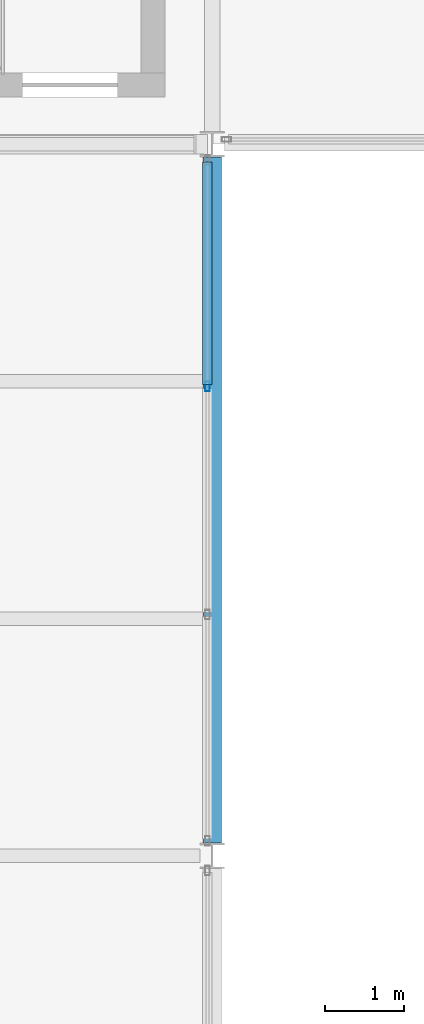
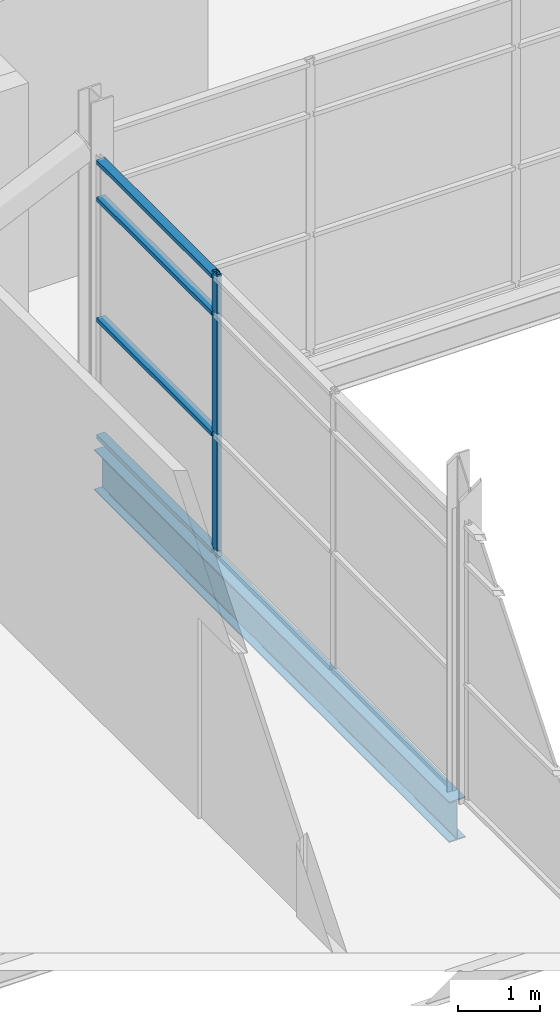
# One storey, part 39 of 112: 5 members, 1 beam, 1 element without a shape of its own.
"""IFC4 building model written with IfcOpenShell, lengths in metres."""

from ifc_helpers import new_model, si_unit, direction, frame, origin, origin_2d, place, context, subcontext, project, spatial, hollow_rectangle, i_section, extrude, material, layer, layer_set, material_profile, profile_set, type_object, element, aggregate, save


model = new_model("IFC4")

# Units and contexts
model_context = context("Model", 3, precision=1e-05, world=origin(), true_north=direction((0.0, 1.0)))
body_context = subcontext(model_context, "Body", "Model", "MODEL_VIEW")
ifc_project = project(units=[si_unit("LENGTHUNIT", "METRE"), si_unit("AREAUNIT", "SQUARE_METRE"), si_unit("VOLUMEUNIT", "CUBIC_METRE"), si_unit("PLANEANGLEUNIT", "RADIAN"), si_unit("MASSUNIT", "GRAM", prefix="KILO")], contexts=[model_context])

# Site, building, storey
site_placement = place(None, origin())
site = spatial("IfcSite", under=ifc_project, at=site_placement, CompositionType="ELEMENT")
building_placement = place(site_placement, origin())
building = spatial("IfcBuilding", under=site, at=building_placement, Name="Shorebreak Coast Museum", CompositionType="ELEMENT")
storey_placement = place(building_placement, frame((0.0, 0.0, 6.0)))
storey = spatial("IfcBuildingStorey", under=building, at=storey_placement, Name="L01", CompositionType="ELEMENT", Elevation=6.0)

# Beam
ifc_material_1 = material(Name="Steel Grade 300", Category="steel")
ifc_material_profile_1 = material_profile(ifc_material_1, i_section(OverallWidth=0.22802734375, OverallDepth=0.60693359375, WebThickness=0.01123046875, FlangeThickness=0.017333984375, FilletRadius=0.013916015625, at=origin_2d()), Name="610UB113")
ifc_profile_set_1 = profile_set([ifc_material_profile_1], Name="Steel Grade 300")
beam_type = type_object("IfcBeamType", Name="Floor girder north-south 610UB113", PredefinedType="BEAM", material=ifc_profile_set_1)
beam_placement = place(storey_placement, frame((63.0, 72.16357421875, -0.478515625), z_axis=(0.0, 1.0, 0.0), x_axis=(-1.0, 0.0, 0.0)))
element("IfcBeam", 1, at=beam_placement, inside=storey, type_object=beam_type, Name="Floor girder north-south L01 8J", PredefinedType="BEAM", context=body_context, shape_type="SweptSolid", body=[
    extrude(i_section(OverallWidth=0.22802734375, OverallDepth=0.60693359375, WebThickness=0.01123046875, FlangeThickness=0.017333984375, FilletRadius=0.013916015625, at=origin_2d()), origin(), (0.0, 0.0, 1.0), 8.6728515625),
])

# Curtain wall, members
ifc_material_2 = material(Name="Aluminium", Category="aluminium")
ifc_layer = layer(ifc_material_2, 0.1201171875)
ifc_layer_set = layer_set([ifc_layer], Name="Aluminium")
curtain_wall_type = type_object("IfcCurtainWallType", Name="Atrium fire screen", PredefinedType="NOTDEFINED", material=ifc_layer_set)
curtain_wall_placement = place(storey_placement, origin())
curtain_wall = element("IfcCurtainWall", 2, at=curtain_wall_placement, inside=storey, type_object=curtain_wall_type, Name="Atrium screen L01 W 13", PredefinedType="NOTDEFINED")
ifc_material_3 = material(Name="Aluminium", Category="aluminium")
ifc_material_profile_2 = material_profile(ifc_material_3, hollow_rectangle(XDim=0.06005859375, YDim=0.1201171875, WallThickness=0.00341796875, at=origin_2d()), Name="AL 120x60 RHS")
ifc_profile_set_2 = profile_set([ifc_material_profile_2], Name="Aluminium")
member_type_1 = type_object("IfcMemberType", Name="Screen mullion 50 x 120", PredefinedType="MULLION", material=ifc_profile_set_2)
member_1_placement = place(storey_placement, frame((62.93994140625, 77.93603515625, 0.0), z_axis=(0.0, 0.0, 1.0), x_axis=(-1.0, 0.0, 0.0)))
member_1 = element("IfcMember", 3, at=member_1_placement, type_object=member_type_1, Name="CW5 mullion 3", PredefinedType="MULLION", context=body_context, shape_type="SweptSolid", body=[
    extrude(hollow_rectangle(XDim=0.06005859375, YDim=0.1201171875, WallThickness=0.00341796875, at=origin_2d()), origin(), (0.0, 0.0, 1.0), 4.212890625),
])
ifc_material_4 = material(Name="Aluminium", Category="aluminium")
ifc_material_profile_3 = material_profile(ifc_material_4, hollow_rectangle(XDim=0.1201171875, YDim=0.06005859375, WallThickness=0.00341796875, at=origin_2d()), Name="AL 60x120 RHS")
ifc_profile_set_3 = profile_set([ifc_material_profile_3], Name="Aluminium")
member_type_2 = type_object("IfcMemberType", Name="Screen transom 120 x 50", PredefinedType="USERDEFINED", material=ifc_profile_set_3)
member_2_placement = place(storey_placement, frame((62.93994140625, 77.961181640625, 0.06005859375), z_axis=(0.0, 1.0, 0.0), x_axis=(-1.0, 0.0, 0.0)))
member_2 = element("IfcMember", 4, at=member_2_placement, type_object=member_type_2, Name="CW5 transom 3.1", ObjectType="TRANSOM", PredefinedType="USERDEFINED", context=body_context, shape_type="SweptSolid", body=[
    extrude(hollow_rectangle(XDim=0.1201171875, YDim=0.06005859375, WallThickness=0.00341796875, at=origin_2d()), origin(), (0.0, 0.0, 1.0), 2.811279296875),
])
member_3_placement = place(storey_placement, frame((62.93994140625, 77.961181640625, 1.800048828125), z_axis=(0.0, 1.0, 0.0), x_axis=(-1.0, 0.0, 0.0)))
member_3 = element("IfcMember", 5, at=member_3_placement, type_object=member_type_2, Name="CW5 transom 3.2", ObjectType="TRANSOM", PredefinedType="USERDEFINED", context=body_context, shape_type="SweptSolid", body=[
    extrude(hollow_rectangle(XDim=0.1201171875, YDim=0.06005859375, WallThickness=0.00341796875, at=origin_2d()), origin(), (0.0, 0.0, 1.0), 2.811279296875),
])
member_4_placement = place(storey_placement, frame((62.93994140625, 77.961181640625, 3.60009765625), z_axis=(0.0, 1.0, 0.0), x_axis=(-1.0, 0.0, 0.0)))
member_4 = element("IfcMember", 6, at=member_4_placement, type_object=member_type_2, Name="CW5 transom 3.3", ObjectType="TRANSOM", PredefinedType="USERDEFINED", context=body_context, shape_type="SweptSolid", body=[
    extrude(hollow_rectangle(XDim=0.1201171875, YDim=0.06005859375, WallThickness=0.00341796875, at=origin_2d()), origin(), (0.0, 0.0, 1.0), 2.811279296875),
])
member_5_placement = place(storey_placement, frame((62.93994140625, 77.961181640625, 4.153076171875), z_axis=(0.0, 1.0, 0.0), x_axis=(-1.0, 0.0, 0.0)))
member_5 = element("IfcMember", 7, at=member_5_placement, type_object=member_type_2, Name="CW5 transom 3.4", ObjectType="TRANSOM", PredefinedType="USERDEFINED", context=body_context, shape_type="SweptSolid", body=[
    extrude(hollow_rectangle(XDim=0.1201171875, YDim=0.06005859375, WallThickness=0.00341796875, at=origin_2d()), origin(), (0.0, 0.0, 1.0), 2.811279296875),
])
aggregate(curtain_wall, [member_1, member_2, member_3, member_4, member_5])

save(model, "model.ifc")
